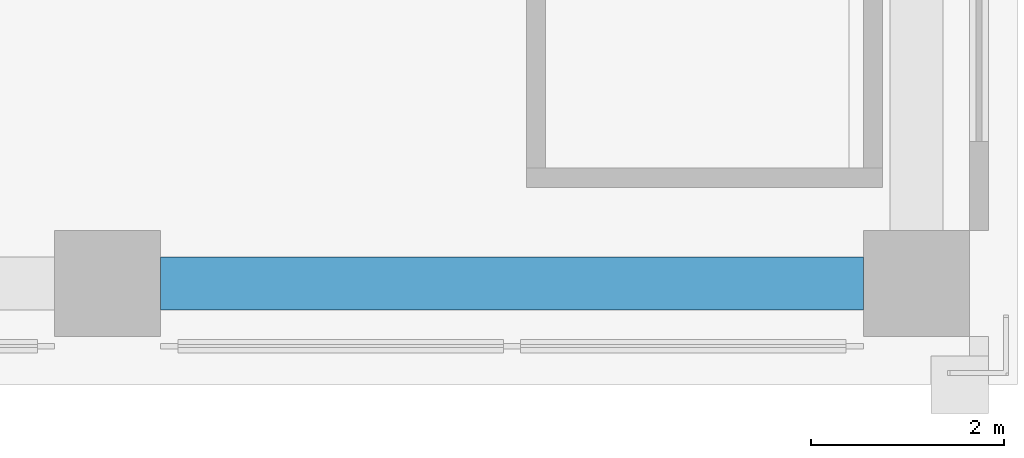
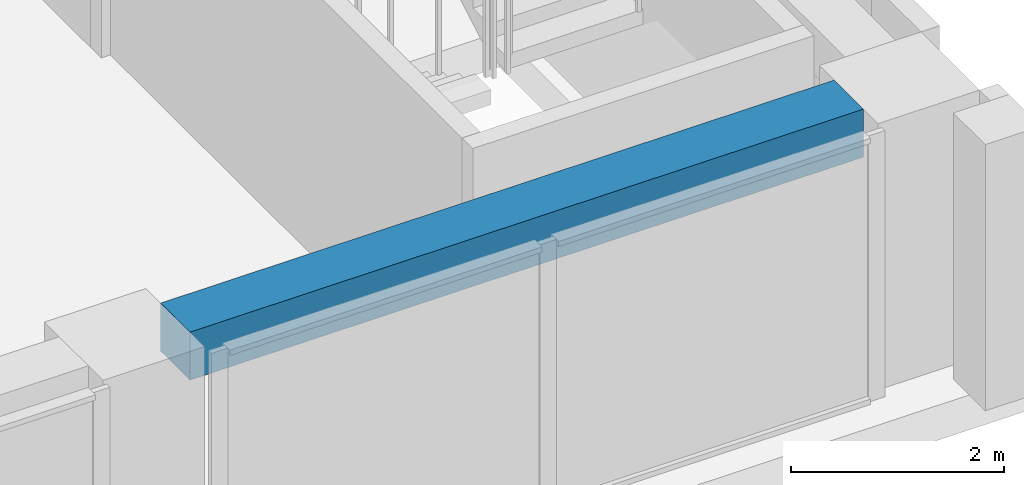
# One storey, part 3 of 16: 1 beam.
"""IFC4 building model written with IfcOpenShell, lengths in metres."""

from ifc_helpers import new_model, si_unit, direction, frame, origin, origin_2d, place, context, subcontext, project, spatial, rectangle, extrude, material, material_profile, profile_set, type_object, element, save


model = new_model("IFC4")

# Units and contexts
model_context = context("Model", 3, precision=1e-05, world=origin(), true_north=direction((0.0, 1.0)))
body_context = subcontext(model_context, "Body", "Model", "MODEL_VIEW")
ifc_project = project(units=[si_unit("LENGTHUNIT", "METRE"), si_unit("AREAUNIT", "SQUARE_METRE"), si_unit("VOLUMEUNIT", "CUBIC_METRE"), si_unit("PLANEANGLEUNIT", "RADIAN"), si_unit("MASSUNIT", "GRAM", prefix="KILO")], contexts=[model_context])

# Site, building, storey
site_placement = place(None, origin())
site = spatial("IfcSite", under=ifc_project, at=site_placement, CompositionType="ELEMENT")
building_placement = place(site_placement, origin())
building = spatial("IfcBuilding", under=site, at=building_placement, Name="Vermilion Ogive Tower", CompositionType="ELEMENT")
storey_placement = place(building_placement, frame((0.0, 0.0, 160.699951171875)))
storey = spatial("IfcBuildingStorey", under=building, at=storey_placement, Name="L41", CompositionType="ELEMENT", Elevation=160.699951171875)

# Beam
ifc_material = material(Name="Concrete B45", Category="concrete")
ifc_material_profile = material_profile(ifc_material, rectangle(XDim=0.550048828125, YDim=0.550048828125, at=origin_2d()), Name="550 x 550")
ifc_profile_set = profile_set([ifc_material_profile], Name="Concrete B45")
beam_type = type_object("IfcBeamType", Name="Edge beam 550 x 550 B45", PredefinedType="BEAM", material=ifc_profile_set)
beam_placement = place(storey_placement, frame((4.75, -21.0, 2.775146484375), z_axis=(1.0, 0.0, 0.0), x_axis=(0.0, 1.0, 0.0)))
element("IfcBeam", 1, at=beam_placement, inside=storey, type_object=beam_type, Name="L41-EB-3", PredefinedType="BEAM", context=body_context, shape_type="SweptSolid", body=[
    extrude(rectangle(XDim=0.550048828125, YDim=0.550048828125, at=origin_2d()), origin(), (0.0, 0.0, 1.0), 7.300048828125),
])

save(model, "model.ifc")
